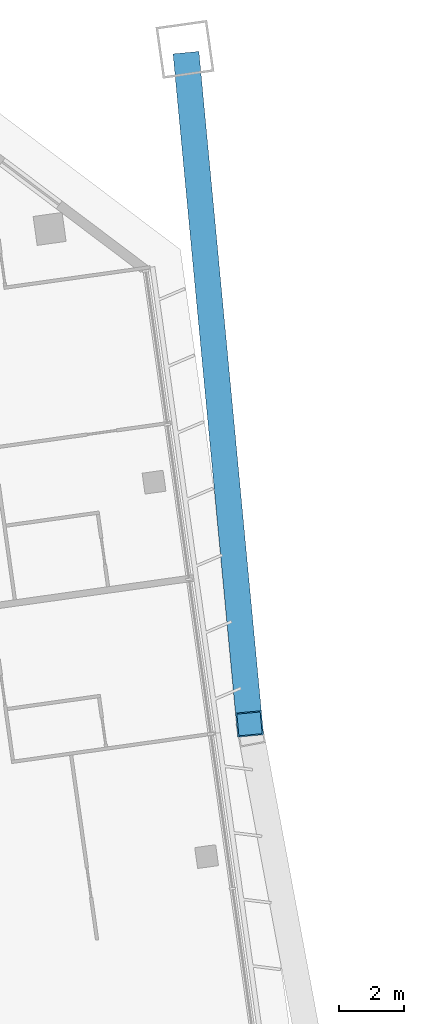
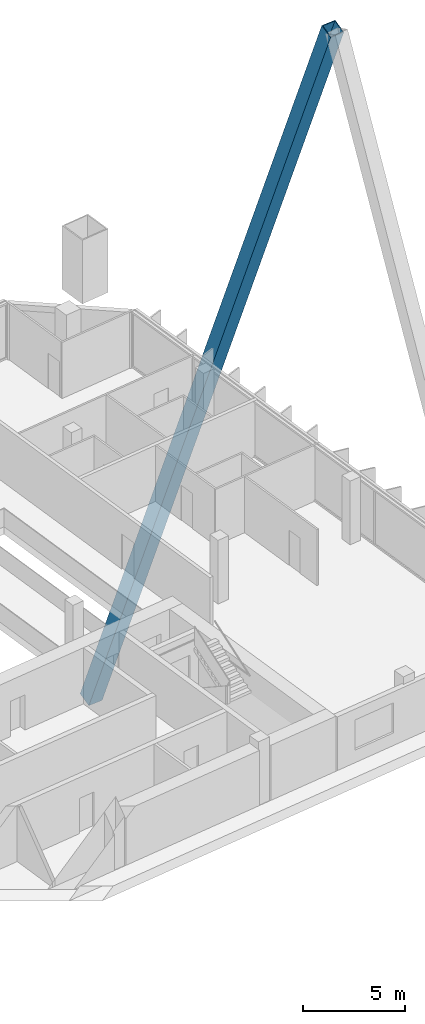
# One storey, part 17 of 33: 1 member.
"""IFC4 building model written with IfcOpenShell, lengths in metres."""

from ifc_helpers import new_model, si_unit, direction, frame, origin, origin_2d, place, context, subcontext, project, spatial, hollow_rectangle, extrude, material, material_profile, profile_set, type_object, element, save


model = new_model("IFC4")

# Units and contexts
model_context = context("Model", 3, precision=1e-05, world=origin(), true_north=direction((0.0, 1.0)))
body_context = subcontext(model_context, "Body", "Model", "MODEL_VIEW")
ifc_project = project(units=[si_unit("LENGTHUNIT", "METRE"), si_unit("AREAUNIT", "SQUARE_METRE"), si_unit("VOLUMEUNIT", "CUBIC_METRE"), si_unit("PLANEANGLEUNIT", "RADIAN"), si_unit("MASSUNIT", "GRAM", prefix="KILO")], contexts=[model_context])

# Site, building, storey
site_placement = place(None, origin())
site = spatial("IfcSite", under=ifc_project, at=site_placement, CompositionType="ELEMENT")
building_placement = place(site_placement, origin())
building = spatial("IfcBuilding", under=site, at=building_placement, Name="Mirante Cascada Hotel Towers", CompositionType="ELEMENT")
storey_placement = place(building_placement, frame((0.0, 0.0, 121.5)))
storey = spatial("IfcBuildingStorey", under=building, at=storey_placement, Name="L27", CompositionType="ELEMENT", Elevation=121.5)

# Member
ifc_material = material(Name="Steel ASTM A572 Gr 50", Category="steel")
ifc_material_profile = material_profile(ifc_material, hollow_rectangle(XDim=0.8, YDim=0.8, WallThickness=0.04, at=origin_2d()), Name="Box brace 800x800x40 ASTM A572 Gr 50")
ifc_profile_set = profile_set([ifc_material_profile], Name="Steel ASTM A572 Gr 50")
member_type = type_object("IfcMemberType", Name="Box brace 800x800x40 ASTM A572 Gr 50", PredefinedType="BRACE", material=ifc_profile_set)
member_placement = place(storey_placement, frame((100.4237, 28.6211, -23.9841), z_axis=(0.0347022, -0.3664528, 0.9297893), x_axis=(0.9955461, 0.0942759, 0.0)))
element("IfcMember", 1, at=member_placement, inside=storey, type_object=member_type, Name="brace T2 L27 2", PredefinedType="BRACE", context=body_context, shape_type="SweptSolid", body=[
    extrude(hollow_rectangle(XDim=0.8, YDim=0.8, WallThickness=0.04, at=origin_2d()), origin(), (0.0, 0.0, 1.0), 55.4287),
])

save(model, "model.ifc")
